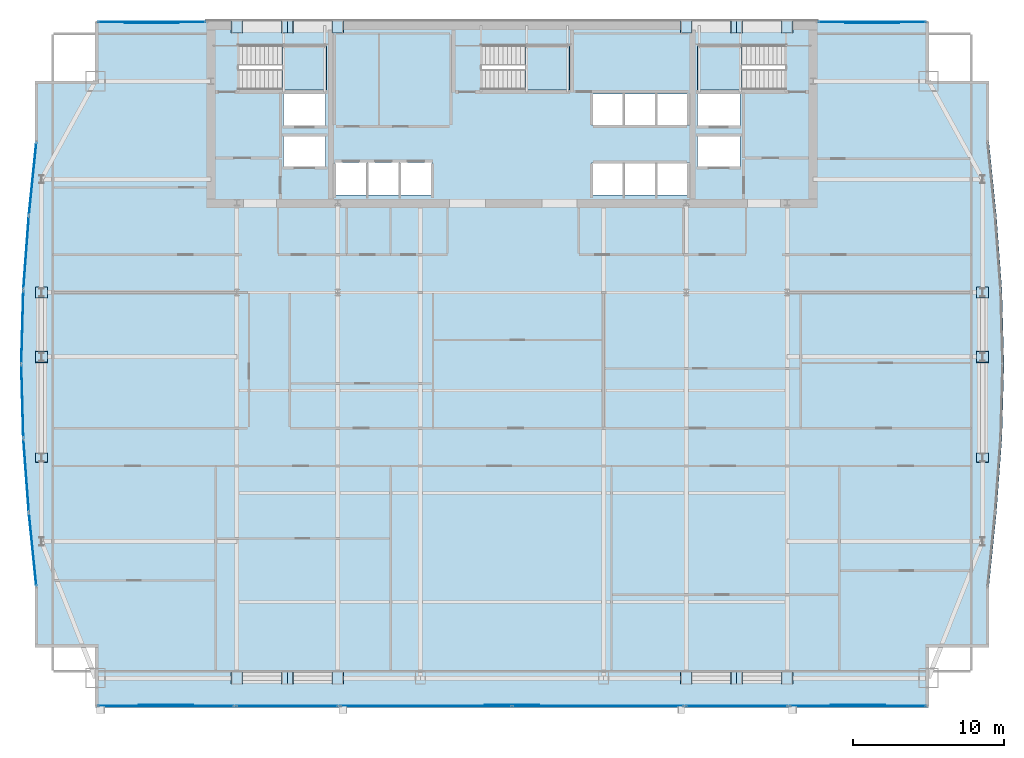
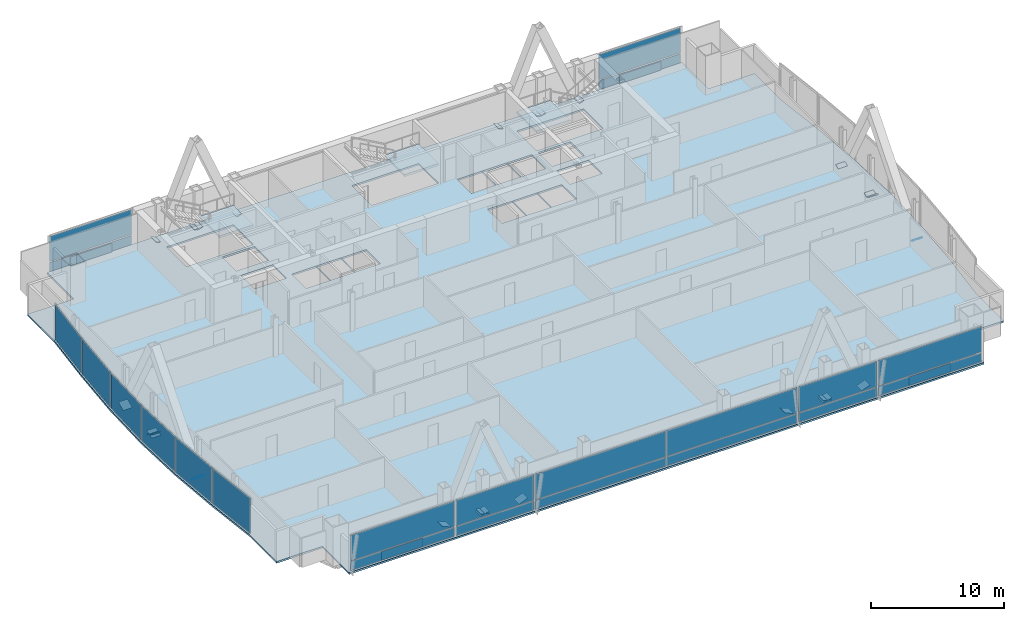
# One storey, part 23 of 29: 51 plates, 4 slabs, 16 elements without a shape of their own.
"""IFC4 building model written with IfcOpenShell, lengths in metres."""

from ifc_helpers import new_model, si_unit, direction, frame, origin, origin_2d, place, context, subcontext, project, spatial, polyline, rectangle, outline, extrude, material, layer, layer_set, type_object, element, aggregate, save


model = new_model("IFC4")

# Units and contexts
model_context = context("Model", 3, precision=1e-05, world=origin(), true_north=direction((0.0, 1.0)))
body_context = subcontext(model_context, "Body", "Model", "MODEL_VIEW")
ifc_project = project(units=[si_unit("LENGTHUNIT", "METRE"), si_unit("AREAUNIT", "SQUARE_METRE"), si_unit("VOLUMEUNIT", "CUBIC_METRE"), si_unit("PLANEANGLEUNIT", "RADIAN"), si_unit("MASSUNIT", "GRAM", prefix="KILO")], contexts=[model_context])

# Site, building, storey
site_placement = place(None, origin())
site = spatial("IfcSite", under=ifc_project, at=site_placement, CompositionType="ELEMENT")
building_placement = place(site_placement, origin())
building = spatial("IfcBuilding", under=site, at=building_placement, Name="Khoronbel Lancet Exchange", CompositionType="ELEMENT")
storey_placement = place(building_placement, frame((0.0, 0.0, 180.60009765625)))
storey = spatial("IfcBuildingStorey", under=building, at=storey_placement, Name="L45", CompositionType="ELEMENT", Elevation=180.60009765625)

# Curtain wall, plate
ifc_material_1 = material(Name="Low-E Solar Control Insulating Glass", Category="glass")
curtain_wall_type_1 = type_object("IfcCurtainWallType", Name="CW-4", PredefinedType="NOTDEFINED", material=ifc_material_1)
curtain_wall_1_placement = place(storey_placement, origin())
curtain_wall_1 = element("IfcCurtainWall", 1, at=curtain_wall_1_placement, inside=storey, type_object=curtain_wall_type_1, Name="Unitised curtain wall CW-L45-E05", PredefinedType="NOTDEFINED")
ifc_material_2 = material(Name="Bronze-Anodised Aluminium 6063-T6", Category="aluminium")
ifc_layer_1 = layer(ifc_material_2, 0.050048828125, Name="Bronze-Anodised Aluminium 6063-T6")
ifc_layer_set_1 = layer_set([ifc_layer_1], Name="Bronze-Anodised Aluminium 6063-T6")
plate_type_1 = type_object("IfcPlateType", Name="PLT-CSP1", PredefinedType="SHEET", material=ifc_layer_set_1)
plate_1_placement = place(storey_placement, frame((4.2568359375, 23.581298828125, 0.0849609375), z_axis=(0.0, 0.0, 1.0), x_axis=(-0.074245494873, 0.99723999443, 0.0)))
plate_1 = element("IfcPlate", 2, at=plate_1_placement, type_object=plate_type_1, Name="CW4 panel 1.1", PredefinedType="CURTAIN_PANEL", context=body_context, shape_type="SweptSolid", body=[
    extrude(rectangle(XDim=4.77685546875, YDim=0.0380859375, at=origin_2d()), origin(), (0.0, 0.0, 1.0), 3.22998046875),
])
aggregate(curtain_wall_1, [plate_1])

curtain_wall_2_placement = place(storey_placement, origin())
curtain_wall_2 = element("IfcCurtainWall", 3, at=curtain_wall_2_placement, inside=storey, type_object=curtain_wall_type_1, Name="Unitised curtain wall CW-L45-E06", PredefinedType="NOTDEFINED")
plate_2_placement = place(storey_placement, frame((4.0068359375, 28.493896484375, 0.0849609375), z_axis=(0.0, 0.0, 1.0), x_axis=(-0.027249094987, 0.99962867447, 0.0)))
plate_2 = element("IfcPlate", 4, at=plate_2_placement, type_object=plate_type_1, Name="CW4 panel 1.1", PredefinedType="CURTAIN_PANEL", context=body_context, shape_type="SweptSolid", body=[
    extrude(rectangle(XDim=4.763916015625, YDim=0.0380859375, at=origin_2d()), origin(), (0.0, 0.0, 1.0), 3.22998046875),
])
aggregate(curtain_wall_2, [plate_2])

curtain_wall_3_placement = place(storey_placement, origin())
curtain_wall_3 = element("IfcCurtainWall", 5, at=curtain_wall_3_placement, inside=storey, type_object=curtain_wall_type_1, Name="Unitised curtain wall CW-L45-E07", PredefinedType="NOTDEFINED")
plate_3_placement = place(storey_placement, frame((4.0068359375, 33.406005859375, 0.0849609375), z_axis=(0.0, 0.0, 1.0), x_axis=(0.027249094987, 0.99962867447, 0.0)))
plate_3 = element("IfcPlate", 6, at=plate_3_placement, type_object=plate_type_1, Name="CW4 panel 1.1", PredefinedType="CURTAIN_PANEL", context=body_context, shape_type="SweptSolid", body=[
    extrude(rectangle(XDim=4.763916015625, YDim=0.0380859375, at=origin_2d()), origin(), (0.0, 0.0, 1.0), 3.22998046875),
])
aggregate(curtain_wall_3, [plate_3])

curtain_wall_4_placement = place(storey_placement, origin())
curtain_wall_4 = element("IfcCurtainWall", 7, at=curtain_wall_4_placement, inside=storey, type_object=curtain_wall_type_1, Name="Unitised curtain wall CW-L45-E08", PredefinedType="NOTDEFINED")
plate_4_placement = place(storey_placement, frame((4.2568359375, 38.31884765625, 0.0849609375), z_axis=(0.0, 0.0, 1.0), x_axis=(0.074245494873, 0.99723999443, 0.0)))
plate_4 = element("IfcPlate", 8, at=plate_4_placement, type_object=plate_type_1, Name="CW4 panel 1.1", PredefinedType="CURTAIN_PANEL", context=body_context, shape_type="SweptSolid", body=[
    extrude(rectangle(XDim=4.77685546875, YDim=0.0380859375, at=origin_2d()), origin(), (0.0, 0.0, 1.0), 3.22998046875),
])
aggregate(curtain_wall_4, [plate_4])

curtain_wall_type_2 = type_object("IfcCurtainWallType", Name="CW-3", PredefinedType="NOTDEFINED", material=ifc_material_1)
curtain_wall_5_placement = place(storey_placement, origin())
curtain_wall_5 = element("IfcCurtainWall", 9, at=curtain_wall_5_placement, inside=storey, type_object=curtain_wall_type_2, Name="Unitised curtain wall CW-L45-NWFLK", PredefinedType="NOTDEFINED")
plate_5_placement = place(storey_placement, frame((12.580078125, 53.550048828125, 0.0498046875), z_axis=(0.0, 0.0, 1.0), x_axis=(-1.0, 0.0, 0.0)))
plate_5 = element("IfcPlate", 10, at=plate_5_placement, type_object=plate_type_1, Name="Insulated bronze spandrel cassette CW-L45-NWFLK", PredefinedType="SHEET", context=body_context, shape_type="SweptSolid", body=[
    extrude(rectangle(XDim=3.60009765625, YDim=0.050048828125, at=origin_2d()), origin(), (0.0, 0.0, 1.0), 0.800048828125),
])

curtain_wall_6_placement = place(storey_placement, origin())
curtain_wall_6 = element("IfcCurtainWall", 11, at=curtain_wall_6_placement, inside=storey, type_object=curtain_wall_type_2, Name="Unitised curtain wall CW-L45-NEFLK", PredefinedType="NOTDEFINED")
plate_6_placement = place(storey_placement, frame((60.320068359375, 53.550048828125, 0.0498046875), z_axis=(0.0, 0.0, 1.0), x_axis=(-1.0, 0.0, 0.0)))
plate_6 = element("IfcPlate", 12, at=plate_6_placement, type_object=plate_type_1, Name="Insulated bronze spandrel cassette CW-L45-NEFLK", PredefinedType="SHEET", context=body_context, shape_type="SweptSolid", body=[
    extrude(rectangle(XDim=3.60009765625, YDim=0.050048828125, at=origin_2d()), origin(), (0.0, 0.0, 1.0), 0.800048828125),
])

curtain_wall_7_placement = place(storey_placement, origin())
curtain_wall_7 = element("IfcCurtainWall", 13, at=curtain_wall_7_placement, inside=storey, type_object=curtain_wall_type_2, Name="Unitised curtain wall CW-L45-SWV", PredefinedType="NOTDEFINED")
plate_7_placement = place(storey_placement, frame((13.52001953125, 8.35009765625, 0.0498046875), z_axis=(0.0, 0.0, 1.0), x_axis=(1.0, 0.0, 0.0)))
plate_7 = element("IfcPlate", 14, at=plate_7_placement, type_object=plate_type_1, Name="Insulated bronze spandrel cassette CW-L45-SWV", PredefinedType="SHEET", context=body_context, shape_type="SweptSolid", body=[
    extrude(rectangle(XDim=3.60009765625, YDim=0.050048828125, at=origin_2d()), origin(), (0.0, 0.0, 1.0), 0.800048828125),
])

# Curtain wall, plates
curtain_wall_8_placement = place(storey_placement, origin())
curtain_wall_8 = element("IfcCurtainWall", 15, at=curtain_wall_8_placement, inside=storey, type_object=curtain_wall_type_2, Name="Unitised curtain wall CW-L45-SWB", PredefinedType="NOTDEFINED")
plate_8_placement = place(storey_placement, frame((21.550048828125, 8.2900390625, 0.0849609375), z_axis=(0.0, 0.0, 1.0), x_axis=(1.0, 0.0, 0.0)))
plate_8 = element("IfcPlate", 16, at=plate_8_placement, type_object=plate_type_1, Name="CW3 panel 1.1", PredefinedType="CURTAIN_PANEL", context=body_context, shape_type="SweptSolid", body=[
    extrude(rectangle(XDim=6.72998046875, YDim=0.0380859375, at=origin_2d()), origin(), (0.0, 0.0, 1.0), 0.822509765625),
])
plate_9_placement = place(storey_placement, frame((21.550048828125, 8.2900390625, 0.9921875), z_axis=(0.0, 0.0, 1.0), x_axis=(1.0, 0.0, 0.0)))
plate_9 = element("IfcPlate", 17, at=plate_9_placement, type_object=plate_type_1, Name="CW3 panel 1.2", PredefinedType="CURTAIN_PANEL", context=body_context, shape_type="SweptSolid", body=[
    extrude(rectangle(XDim=6.72998046875, YDim=0.0380859375, at=origin_2d()), origin(), (0.0, 0.0, 1.0), 2.322509765625),
])
aggregate(curtain_wall_8, [plate_8, plate_9])

# Curtain wall, plate
curtain_wall_9_placement = place(storey_placement, origin())
curtain_wall_9 = element("IfcCurtainWall", 18, at=curtain_wall_9_placement, inside=storey, type_object=curtain_wall_type_2, Name="Unitised curtain wall CW-L45-SCV", PredefinedType="NOTDEFINED")
plate_10_placement = place(storey_placement, frame((36.449951171875, 8.35009765625, 0.0498046875), z_axis=(0.0, 0.0, 1.0), x_axis=(1.0, 0.0, 0.0)))
plate_10 = element("IfcPlate", 19, at=plate_10_placement, type_object=plate_type_1, Name="Insulated bronze spandrel cassette CW-L45-SCV", PredefinedType="SHEET", context=body_context, shape_type="SweptSolid", body=[
    extrude(rectangle(XDim=3.60009765625, YDim=0.050048828125, at=origin_2d()), origin(), (0.0, 0.0, 1.0), 0.800048828125),
])

# Curtain wall, plates
curtain_wall_10_placement = place(storey_placement, origin())
curtain_wall_10 = element("IfcCurtainWall", 20, at=curtain_wall_10_placement, inside=storey, type_object=curtain_wall_type_2, Name="Unitised curtain wall CW-L45-SEB", PredefinedType="NOTDEFINED")
plate_11_placement = place(storey_placement, frame((51.35009765625, 8.2900390625, 0.0849609375), z_axis=(0.0, 0.0, 1.0), x_axis=(1.0, 0.0, 0.0)))
plate_11 = element("IfcPlate", 21, at=plate_11_placement, type_object=plate_type_1, Name="CW3 panel 1.1", PredefinedType="CURTAIN_PANEL", context=body_context, shape_type="SweptSolid", body=[
    extrude(rectangle(XDim=6.72998046875, YDim=0.0380859375, at=origin_2d()), origin(), (0.0, 0.0, 1.0), 0.822509765625),
])
plate_12_placement = place(storey_placement, frame((51.35009765625, 8.2900390625, 0.9921875), z_axis=(0.0, 0.0, 1.0), x_axis=(1.0, 0.0, 0.0)))
plate_12 = element("IfcPlate", 22, at=plate_12_placement, type_object=plate_type_1, Name="CW3 panel 1.2", PredefinedType="CURTAIN_PANEL", context=body_context, shape_type="SweptSolid", body=[
    extrude(rectangle(XDim=6.72998046875, YDim=0.0380859375, at=origin_2d()), origin(), (0.0, 0.0, 1.0), 2.322509765625),
])
aggregate(curtain_wall_10, [plate_11, plate_12])

# Curtain wall, plate
curtain_wall_11_placement = place(storey_placement, origin())
curtain_wall_11 = element("IfcCurtainWall", 23, at=curtain_wall_11_placement, inside=storey, type_object=curtain_wall_type_2, Name="Unitised curtain wall CW-L45-SEV", PredefinedType="NOTDEFINED")
plate_13_placement = place(storey_placement, frame((59.3798828125, 8.35009765625, 0.0498046875), z_axis=(0.0, 0.0, 1.0), x_axis=(1.0, 0.0, 0.0)))
plate_13 = element("IfcPlate", 24, at=plate_13_placement, type_object=plate_type_1, Name="Insulated bronze spandrel cassette CW-L45-SEV", PredefinedType="SHEET", context=body_context, shape_type="SweptSolid", body=[
    extrude(rectangle(XDim=3.60009765625, YDim=0.050048828125, at=origin_2d()), origin(), (0.0, 0.0, 1.0), 0.800048828125),
])

# Plate
ifc_layer_2 = layer(ifc_material_1, 0.035888671875, Name="Low-E Solar Control Insulating Glass")
ifc_layer_set_2 = layer_set([ifc_layer_2], Name="Low-E Solar Control Insulating Glass")
plate_type_2 = type_object("IfcPlateType", Name="PLT-CWP1", PredefinedType="CURTAIN_PANEL", material=ifc_layer_set_2)
plate_14_placement = place(storey_placement, frame((12.580078125, 53.610107421875, 0.0849609375), z_axis=(0.0, 0.0, 1.0), x_axis=(-1.0, 0.0, 0.0)))
plate_14 = element("IfcPlate", 25, at=plate_14_placement, type_object=plate_type_2, Name="CW3 panel 1.1", PredefinedType="CURTAIN_PANEL", context=body_context, shape_type="SweptSolid", body=[
    extrude(rectangle(XDim=7.110107421875, YDim=0.0380859375, at=origin_2d()), origin(), (0.0, 0.0, 1.0), 0.822509765625),
])

plate_15_placement = place(storey_placement, frame((12.580078125, 53.610107421875, 0.9921875), z_axis=(0.0, 0.0, 1.0), x_axis=(-1.0, 0.0, 0.0)))
plate_15 = element("IfcPlate", 26, at=plate_15_placement, type_object=plate_type_2, Name="CW3 panel 1.2", PredefinedType="CURTAIN_PANEL", context=body_context, shape_type="SweptSolid", body=[
    extrude(rectangle(XDim=7.110107421875, YDim=0.0380859375, at=origin_2d()), origin(), (0.0, 0.0, 1.0), 2.322509765625),
])

aggregate(curtain_wall_5, [plate_14, plate_15, plate_5])

plate_16_placement = place(storey_placement, frame((60.320068359375, 53.610107421875, 0.0849609375), z_axis=(0.0, 0.0, 1.0), x_axis=(-1.0, 0.0, 0.0)))
plate_16 = element("IfcPlate", 27, at=plate_16_placement, type_object=plate_type_2, Name="CW3 panel 1.1", PredefinedType="CURTAIN_PANEL", context=body_context, shape_type="SweptSolid", body=[
    extrude(rectangle(XDim=7.110107421875, YDim=0.0380859375, at=origin_2d()), origin(), (0.0, 0.0, 1.0), 0.822509765625),
])

plate_17_placement = place(storey_placement, frame((60.320068359375, 53.610107421875, 0.9921875), z_axis=(0.0, 0.0, 1.0), x_axis=(-1.0, 0.0, 0.0)))
plate_17 = element("IfcPlate", 28, at=plate_17_placement, type_object=plate_type_2, Name="CW3 panel 1.2", PredefinedType="CURTAIN_PANEL", context=body_context, shape_type="SweptSolid", body=[
    extrude(rectangle(XDim=7.110107421875, YDim=0.0380859375, at=origin_2d()), origin(), (0.0, 0.0, 1.0), 2.322509765625),
])

aggregate(curtain_wall_6, [plate_16, plate_17, plate_6])

plate_18_placement = place(storey_placement, frame((13.52001953125, 8.2900390625, 0.0849609375), z_axis=(0.0, 0.0, 1.0), x_axis=(1.0, 0.0, 0.0)))
plate_18 = element("IfcPlate", 29, at=plate_18_placement, type_object=plate_type_2, Name="CW3 panel 1.1", PredefinedType="CURTAIN_PANEL", context=body_context, shape_type="SweptSolid", body=[
    extrude(rectangle(XDim=8.989990234375, YDim=0.0380859375, at=origin_2d()), origin(), (0.0, 0.0, 1.0), 0.822509765625),
])

plate_19_placement = place(storey_placement, frame((13.52001953125, 8.2900390625, 0.9921875), z_axis=(0.0, 0.0, 1.0), x_axis=(1.0, 0.0, 0.0)))
plate_19 = element("IfcPlate", 30, at=plate_19_placement, type_object=plate_type_2, Name="CW3 panel 1.2", PredefinedType="CURTAIN_PANEL", context=body_context, shape_type="SweptSolid", body=[
    extrude(rectangle(XDim=8.989990234375, YDim=0.0380859375, at=origin_2d()), origin(), (0.0, 0.0, 1.0), 2.322509765625),
])

aggregate(curtain_wall_7, [plate_18, plate_19, plate_7])

plate_20_placement = place(storey_placement, frame((30.746337890625, 8.2900390625, 0.0849609375), z_axis=(0.0, 0.0, 1.0), x_axis=(1.0, 0.0, 0.0)))
plate_20 = element("IfcPlate", 31, at=plate_20_placement, type_object=plate_type_2, Name="CW3 panel 1.1", PredefinedType="CURTAIN_PANEL", context=body_context, shape_type="SweptSolid", body=[
    extrude(rectangle(XDim=11.322509765625, YDim=0.0380859375, at=origin_2d()), origin(), (0.0, 0.0, 1.0), 0.822509765625),
])

plate_21_placement = place(storey_placement, frame((30.746337890625, 8.2900390625, 0.9921875), z_axis=(0.0, 0.0, 1.0), x_axis=(1.0, 0.0, 0.0)))
plate_21 = element("IfcPlate", 32, at=plate_21_placement, type_object=plate_type_2, Name="CW3 panel 1.2", PredefinedType="CURTAIN_PANEL", context=body_context, shape_type="SweptSolid", body=[
    extrude(rectangle(XDim=11.322509765625, YDim=0.0380859375, at=origin_2d()), origin(), (0.0, 0.0, 1.0), 2.322509765625),
])

plate_22_placement = place(storey_placement, frame((42.15380859375, 8.2900390625, 0.0849609375), z_axis=(0.0, 0.0, 1.0), x_axis=(1.0, 0.0, 0.0)))
plate_22 = element("IfcPlate", 33, at=plate_22_placement, type_object=plate_type_2, Name="CW3 panel 2.1", PredefinedType="CURTAIN_PANEL", context=body_context, shape_type="SweptSolid", body=[
    extrude(rectangle(XDim=11.322509765625, YDim=0.0380859375, at=origin_2d()), origin(), (0.0, 0.0, 1.0), 0.822509765625),
])

plate_23_placement = place(storey_placement, frame((42.15380859375, 8.2900390625, 0.9921875), z_axis=(0.0, 0.0, 1.0), x_axis=(1.0, 0.0, 0.0)))
plate_23 = element("IfcPlate", 34, at=plate_23_placement, type_object=plate_type_2, Name="CW3 panel 2.2", PredefinedType="CURTAIN_PANEL", context=body_context, shape_type="SweptSolid", body=[
    extrude(rectangle(XDim=11.322509765625, YDim=0.0380859375, at=origin_2d()), origin(), (0.0, 0.0, 1.0), 2.322509765625),
])

aggregate(curtain_wall_9, [plate_20, plate_21, plate_22, plate_23, plate_10])

plate_24_placement = place(storey_placement, frame((59.3798828125, 8.2900390625, 0.0849609375), z_axis=(0.0, 0.0, 1.0), x_axis=(1.0, 0.0, 0.0)))
plate_24 = element("IfcPlate", 35, at=plate_24_placement, type_object=plate_type_2, Name="CW3 panel 1.1", PredefinedType="CURTAIN_PANEL", context=body_context, shape_type="SweptSolid", body=[
    extrude(rectangle(XDim=8.989990234375, YDim=0.0380859375, at=origin_2d()), origin(), (0.0, 0.0, 1.0), 0.822509765625),
])

plate_25_placement = place(storey_placement, frame((59.3798828125, 8.2900390625, 0.9921875), z_axis=(0.0, 0.0, 1.0), x_axis=(1.0, 0.0, 0.0)))
plate_25 = element("IfcPlate", 36, at=plate_25_placement, type_object=plate_type_2, Name="CW3 panel 1.2", PredefinedType="CURTAIN_PANEL", context=body_context, shape_type="SweptSolid", body=[
    extrude(rectangle(XDim=8.989990234375, YDim=0.0380859375, at=origin_2d()), origin(), (0.0, 0.0, 1.0), 2.322509765625),
])

aggregate(curtain_wall_11, [plate_24, plate_25, plate_13])

# Curtain wall, plate
curtain_wall_12_placement = place(storey_placement, origin())
curtain_wall_12 = element("IfcCurtainWall", 37, at=curtain_wall_12_placement, inside=storey, type_object=curtain_wall_type_1, Name="Unitised curtain wall CW-L45-E04", PredefinedType="NOTDEFINED")
ifc_material_3 = material(Name="Ceramic-Fritted Laminated Insulating Glass", Category="glass")
ifc_layer_3 = layer(ifc_material_3, 0.0419921875, Name="Ceramic-Fritted Laminated Insulating Glass")
ifc_layer_set_3 = layer_set([ifc_layer_3], Name="Ceramic-Fritted Laminated Insulating Glass")
plate_type_3 = type_object("IfcPlateType", Name="PLT-CWP2", PredefinedType="CURTAIN_PANEL", material=ifc_layer_set_3)
plate_26_placement = place(storey_placement, frame((4.68994140625, 18.66455078125, 0.0849609375), z_axis=(0.0, 0.0, 1.0), x_axis=(-0.101165300055, 0.994869630688, 0.0)))
plate_26 = element("IfcPlate", 38, at=plate_26_placement, type_object=plate_type_3, Name="CW4 panel 1.1", PredefinedType="CURTAIN_PANEL", context=body_context, shape_type="SweptSolid", body=[
    extrude(rectangle(XDim=4.79541015625, YDim=0.0380859375, at=origin_2d()), origin(), (0.0, 0.0, 1.0), 3.22998046875),
])
aggregate(curtain_wall_12, [plate_26])

curtain_wall_13_placement = place(storey_placement, origin())
curtain_wall_13 = element("IfcCurtainWall", 39, at=curtain_wall_13_placement, inside=storey, type_object=curtain_wall_type_1, Name="Unitised curtain wall CW-L45-E09", PredefinedType="NOTDEFINED")
plate_27_placement = place(storey_placement, frame((4.68994140625, 43.2353515625, 0.0849609375), z_axis=(0.0, 0.0, 1.0), x_axis=(0.101165300055, 0.994869630688, 0.0)))
plate_27 = element("IfcPlate", 40, at=plate_27_placement, type_object=plate_type_3, Name="CW4 panel 1.1", PredefinedType="CURTAIN_PANEL", context=body_context, shape_type="SweptSolid", body=[
    extrude(rectangle(XDim=4.79541015625, YDim=0.0380859375, at=origin_2d()), origin(), (0.0, 0.0, 1.0), 3.22998046875),
])
aggregate(curtain_wall_13, [plate_27])

# Plates
ifc_material_4 = material(Name="Steel S460", Category="steel")
ifc_layer_4 = layer(ifc_material_4, 0.044921875, Name="Steel S460")
ifc_layer_set_4 = layer_set([ifc_layer_4], Name="Steel S460")
plate_type_4 = type_object("IfcPlateType", Name="PLT-ECP1", PredefinedType="USERDEFINED", material=ifc_layer_set_4)
for number, where, z_axis, x_axis, name in (
    (41, (21.956787109375, 9.75, -0.075439453125), (0.267942904073, 0.0, 0.963434792893), (0.0, 1.0, 0.0), "Hollow end cap plate PLT-CAP-MEM-MB-T14-S-W-L-1"),
    (42, (21.168212890625, 10.550048828125, -0.075439453125), (-0.267942904073, 0.0, 0.963434792893), (0.0, -1.0, 0.0), "Hollow end cap plate PLT-CAP-MEM-MB-T14-S-W-R-1"),
    (43, (51.731689453125, 9.75, -0.075439453125), (0.267942904073, 0.0, 0.963434792893), (0.0, 1.0, 0.0), "Hollow end cap plate PLT-CAP-MEM-MB-T14-S-E-L-1"),
    (44, (50.943359375, 10.550048828125, -0.075439453125), (-0.267942904073, 0.0, 0.963434792893), (0.0, -1.0, 0.0), "Hollow end cap plate PLT-CAP-MEM-MB-T14-S-E-R-1"),
    (45, (21.956787109375, 52.8798828125, -0.075439453125), (0.267942904073, 0.0, 0.963434792893), (0.0, 1.0, 0.0), "Hollow end cap plate PLT-CAP-MEM-MB-T14-N-W-L-1"),
    (46, (21.168212890625, 53.679931640625, -0.075439453125), (-0.267942904073, 0.0, 0.963434792893), (0.0, -1.0, 0.0), "Hollow end cap plate PLT-CAP-MEM-MB-T14-N-W-R-1"),
    (47, (51.731689453125, 52.8798828125, -0.075439453125), (0.267942904073, 0.0, 0.963434792893), (0.0, 1.0, 0.0), "Hollow end cap plate PLT-CAP-MEM-MB-T14-N-E-L-1"),
    (48, (50.943359375, 53.679931640625, -0.075439453125), (-0.267942904073, 0.0, 0.963434792893), (0.0, -1.0, 0.0), "Hollow end cap plate PLT-CAP-MEM-MB-T14-N-E-R-1"),
):
    element("IfcPlate", number, at=place(storey_placement, frame(where, z_axis=z_axis, x_axis=x_axis)), inside=storey, type_object=plate_type_4, Name=name, ObjectType="STIFFENER_PLATE", PredefinedType="USERDEFINED", context=body_context, shape_type="SweptSolid", body=[
        extrude(outline(polyline([(0.0, 0.0), (0.800048828125, 0.0), (0.800048828125, 0.800048828125), (0.0, 0.800048828125), (0.0, 0.0)])), origin(), (0.0, 0.0, -1.0), 0.044921875),
    ])
plate_28_placement = place(storey_placement, frame((5.669921875, 31.79052734375, -0.165771484375), z_axis=(0.0, 0.486212952876, 0.873840354101), x_axis=(-1.0, 0.0, 0.0)))
element("IfcPlate", 49, at=plate_28_placement, inside=storey, type_object=plate_type_4, Name="Hollow end cap plate PLT-CAP-MEM-MB-T14-W-P-L-1", ObjectType="STIFFENER_PLATE", PredefinedType="USERDEFINED", context=body_context, shape_type="SweptSolid", body=[
    extrude(outline(polyline([(0.0, 0.0), (0.7998046875, 0.0), (0.7998046875, 0.7998046875), (0.0, 0.7998046875), (0.0, 0.0)])), origin(), (0.0, 0.0, -1.0), 0.044921875),
])
plate_29_placement = place(storey_placement, frame((4.8701171875, 31.037109375, -0.103271484375), z_axis=(0.0, -0.335659743873, 0.941983299397), x_axis=(1.0, 0.0, 0.0)))
element("IfcPlate", 50, at=plate_29_placement, inside=storey, type_object=plate_type_4, Name="Hollow end cap plate PLT-CAP-MEM-MB-T14-W-P-R-1", ObjectType="STIFFENER_PLATE", PredefinedType="USERDEFINED", context=body_context, shape_type="SweptSolid", body=[
    extrude(outline(polyline([(0.0, 0.0), (0.7998046875, 0.0), (0.7998046875, 0.800048828125), (0.0, 0.800048828125), (0.0, 0.0)])), origin(), (0.0, 0.0, -1.0), 0.044921875),
])
plate_30_placement = place(storey_placement, frame((68.030029296875, 31.79052734375, -0.165771484375), z_axis=(0.0, 0.486212952876, 0.873840354101), x_axis=(-1.0, 0.0, 0.0)))
element("IfcPlate", 51, at=plate_30_placement, inside=storey, type_object=plate_type_4, Name="Hollow end cap plate PLT-CAP-MEM-MB-T14-E-P-L-1", ObjectType="STIFFENER_PLATE", PredefinedType="USERDEFINED", context=body_context, shape_type="SweptSolid", body=[
    extrude(outline(polyline([(0.0, 0.0), (0.800048828125, 0.0), (0.800048828125, 0.7998046875), (0.0, 0.7998046875), (0.0, 0.0)])), origin(), (0.0, 0.0, -1.0), 0.044921875),
])
plate_31_placement = place(storey_placement, frame((67.22998046875, 31.037109375, -0.103271484375), z_axis=(0.0, -0.335659743873, 0.941983299397), x_axis=(1.0, 0.0, 0.0)))
element("IfcPlate", 52, at=plate_31_placement, inside=storey, type_object=plate_type_4, Name="Hollow end cap plate PLT-CAP-MEM-MB-T14-E-P-R-1", ObjectType="STIFFENER_PLATE", PredefinedType="USERDEFINED", context=body_context, shape_type="SweptSolid", body=[
    extrude(outline(polyline([(0.0, 0.0), (0.800048828125, 0.0), (0.800048828125, 0.800048828125), (0.0, 0.800048828125), (0.0, 0.0)])), origin(), (0.0, 0.0, -1.0), 0.044921875),
])
for number, where, z_axis, x_axis, name in (
    (53, (18.598876953125, 9.75, -0.14306640625), (0.385026950692, 0.0, 0.922905329512), (0.0, 1.0, 0.0), "Hollow end cap plate PLT-CAP-MEM-MB-T15-S-W-L-0"),
    (54, (24.526123046875, 10.550048828125, -0.14306640625), (-0.385026950692, 0.0, 0.922905329512), (0.0, -1.0, 0.0), "Hollow end cap plate PLT-CAP-MEM-MB-T15-S-W-R-0"),
):
    element("IfcPlate", number, at=place(storey_placement, frame(where, z_axis=z_axis, x_axis=x_axis)), inside=storey, type_object=plate_type_4, Name=name, ObjectType="STIFFENER_PLATE", PredefinedType="USERDEFINED", context=body_context, shape_type="SweptSolid", body=[
        extrude(outline(polyline([(0.0, 0.0), (0.800048828125, 0.0), (0.800048828125, 0.80029296875), (0.0, 0.80029296875), (0.0, 0.0)])), origin(), (0.0, 0.0, -1.0), 0.044921875),
    ])
for number, where, z_axis, x_axis, name in (
    (55, (48.373779296875, 9.75, -0.14306640625), (0.385135391242, 0.0, 0.922860081709), (0.0, 1.0, 0.0), "Hollow end cap plate PLT-CAP-MEM-MB-T15-S-E-L-0"),
    (56, (54.30126953125, 10.550048828125, -0.14306640625), (-0.385135391242, 0.0, 0.922860081709), (0.0, -1.0, 0.0), "Hollow end cap plate PLT-CAP-MEM-MB-T15-S-E-R-0"),
):
    element("IfcPlate", number, at=place(storey_placement, frame(where, z_axis=z_axis, x_axis=x_axis)), inside=storey, type_object=plate_type_4, Name=name, ObjectType="STIFFENER_PLATE", PredefinedType="USERDEFINED", context=body_context, shape_type="SweptSolid", body=[
        extrude(outline(polyline([(0.0, 0.0), (0.800048828125, 0.0), (0.800048828125, 0.800048828125), (0.0, 0.800048828125), (0.0, 0.0)])), origin(), (0.0, 0.0, -1.0), 0.044921875),
    ])
for number, where, z_axis, x_axis, name in (
    (57, (18.598876953125, 52.8798828125, -0.14306640625), (0.385026950692, 0.0, 0.922905329512), (0.0, 1.0, 0.0), "Hollow end cap plate PLT-CAP-MEM-MB-T15-N-W-L-0"),
    (58, (24.526123046875, 53.679931640625, -0.14306640625), (-0.385026950692, 0.0, 0.922905329512), (0.0, -1.0, 0.0), "Hollow end cap plate PLT-CAP-MEM-MB-T15-N-W-R-0"),
):
    element("IfcPlate", number, at=place(storey_placement, frame(where, z_axis=z_axis, x_axis=x_axis)), inside=storey, type_object=plate_type_4, Name=name, ObjectType="STIFFENER_PLATE", PredefinedType="USERDEFINED", context=body_context, shape_type="SweptSolid", body=[
        extrude(outline(polyline([(0.0, 0.0), (0.800048828125, 0.0), (0.800048828125, 0.80029296875), (0.0, 0.80029296875), (0.0, 0.0)])), origin(), (0.0, 0.0, -1.0), 0.044921875),
    ])
for number, where, z_axis, x_axis, name in (
    (59, (48.373779296875, 52.8798828125, -0.14306640625), (0.385135391242, 0.0, 0.922860081709), (0.0, 1.0, 0.0), "Hollow end cap plate PLT-CAP-MEM-MB-T15-N-E-L-0"),
    (60, (54.30126953125, 53.679931640625, -0.14306640625), (-0.385135391242, 0.0, 0.922860081709), (0.0, -1.0, 0.0), "Hollow end cap plate PLT-CAP-MEM-MB-T15-N-E-R-0"),
):
    element("IfcPlate", number, at=place(storey_placement, frame(where, z_axis=z_axis, x_axis=x_axis)), inside=storey, type_object=plate_type_4, Name=name, ObjectType="STIFFENER_PLATE", PredefinedType="USERDEFINED", context=body_context, shape_type="SweptSolid", body=[
        extrude(outline(polyline([(0.0, 0.0), (0.800048828125, 0.0), (0.800048828125, 0.800048828125), (0.0, 0.800048828125), (0.0, 0.0)])), origin(), (0.0, 0.0, -1.0), 0.044921875),
    ])
for number, where, z_axis, x_axis, name in (
    (61, (5.669921875, 25.06494140625, -0.2470703125), (0.0, 0.640454469523, 0.76799614092), (-1.0, 0.0, 0.0), "Hollow end cap plate PLT-CAP-MEM-MB-T15-W-P-L-0"),
    (62, (4.8701171875, 35.341552734375, -0.177978515625), (0.0, -0.47122173768, 0.88201478102), (1.0, 0.0, 0.0), "Hollow end cap plate PLT-CAP-MEM-MB-T15-W-P-R-0"),
):
    element("IfcPlate", number, at=place(storey_placement, frame(where, z_axis=z_axis, x_axis=x_axis)), inside=storey, type_object=plate_type_4, Name=name, ObjectType="STIFFENER_PLATE", PredefinedType="USERDEFINED", context=body_context, shape_type="SweptSolid", body=[
        extrude(outline(polyline([(0.0, 0.0), (0.7998046875, 0.0), (0.7998046875, 0.800048828125), (0.0, 0.800048828125), (0.0, 0.0)])), origin(), (0.0, 0.0, -1.0), 0.044921875),
    ])
for number, where, z_axis, x_axis, name in (
    (63, (68.030029296875, 25.06494140625, -0.2470703125), (0.0, 0.640454469523, 0.76799614092), (-1.0, 0.0, 0.0), "Hollow end cap plate PLT-CAP-MEM-MB-T15-E-P-L-0"),
    (64, (67.22998046875, 35.341552734375, -0.177978515625), (0.0, -0.47122173768, 0.88201478102), (1.0, 0.0, 0.0), "Hollow end cap plate PLT-CAP-MEM-MB-T15-E-P-R-0"),
):
    element("IfcPlate", number, at=place(storey_placement, frame(where, z_axis=z_axis, x_axis=x_axis)), inside=storey, type_object=plate_type_4, Name=name, ObjectType="STIFFENER_PLATE", PredefinedType="USERDEFINED", context=body_context, shape_type="SweptSolid", body=[
        extrude(outline(polyline([(0.0, 0.0), (0.800048828125, 0.0), (0.800048828125, 0.800048828125), (0.0, 0.800048828125), (0.0, 0.0)])), origin(), (0.0, 0.0, -1.0), 0.044921875),
    ])

# Slab
ifc_material_5 = material(Name="Concrete C40/50", Category="concrete")
ifc_layer_5 = layer(ifc_material_5, 0.159912109375, Name="Concrete C40/50")
ifc_layer_set_5 = layer_set([ifc_layer_5], Name="Concrete C40/50")
slab_type_1 = type_object("IfcSlabType", Name="SL-FL160", PredefinedType="FLOOR", material=ifc_layer_set_5)
slab_1_placement = place(storey_placement, frame((0.0, 0.0, -0.16015625)))
element("IfcSlab", 65, at=slab_1_placement, inside=storey, type_object=slab_type_1, Name="Level L45 composite structural floor slab", PredefinedType="FLOOR", context=body_context, shape_type="SweptSolid", body=[
    extrude(outline(polyline([(8.85009765625, 8.199951171875), (64.050048828125, 8.199951171875), (64.050048828125, 12.199951171875), (68.050048828125, 12.199951171875), (68.050048828125, 16.199951171875), (68.550048828125, 21.11669921875), (68.916015625, 26.033203125), (69.050048828125, 30.949951171875), (68.916015625, 35.86669921875), (68.550048828125, 40.783203125), (68.050048828125, 45.699951171875), (68.050048828125, 49.699951171875), (64.050048828125, 49.699951171875), (64.050048828125, 53.699951171875), (8.85009765625, 53.699951171875), (8.85009765625, 49.699951171875), (4.85009765625, 49.699951171875), (4.85009765625, 45.699951171875), (4.35009765625, 40.783203125), (3.98388671875, 35.86669921875), (3.85009765625, 30.949951171875), (3.98388671875, 26.033203125), (4.35009765625, 21.11669921875), (4.85009765625, 16.199951171875), (4.85009765625, 12.199951171875), (8.85009765625, 12.199951171875), (8.85009765625, 8.199951171875)]), holes=[polyline([(18.324951171875, 49.1201171875), (24.14990234375, 49.1201171875), (24.14990234375, 52.10009765625), (18.324951171875, 52.10009765625), (18.324951171875, 49.1201171875)]), polyline([(48.75, 49.1201171875), (54.574951171875, 49.1201171875), (54.574951171875, 52.10009765625), (48.75, 52.10009765625), (48.75, 49.1201171875)]), polyline([(34.425048828125, 49.1201171875), (40.25, 49.1201171875), (40.25, 52.10009765625), (34.425048828125, 52.10009765625), (34.425048828125, 49.1201171875)]), polyline([(24.699951171875, 42.14990234375), (26.840087890625, 42.14990234375), (26.840087890625, 44.300048828125), (24.699951171875, 44.300048828125), (24.699951171875, 42.14990234375)]), polyline([(26.860107421875, 42.14990234375), (29.0, 42.14990234375), (29.0, 44.300048828125), (26.860107421875, 44.300048828125), (26.860107421875, 42.14990234375)]), polyline([(29.02001953125, 42.14990234375), (31.159912109375, 42.14990234375), (31.159912109375, 44.300048828125), (29.02001953125, 44.300048828125), (29.02001953125, 42.14990234375)]), polyline([(41.739990234375, 46.75), (43.8798828125, 46.75), (43.8798828125, 48.85009765625), (41.739990234375, 48.85009765625), (41.739990234375, 46.75)]), polyline([(43.89990234375, 46.75), (46.0400390625, 46.75), (46.0400390625, 48.85009765625), (43.89990234375, 48.85009765625), (43.89990234375, 46.75)]), polyline([(46.06005859375, 46.75), (48.199951171875, 46.75), (48.199951171875, 48.85009765625), (46.06005859375, 48.85009765625), (46.06005859375, 46.75)]), polyline([(41.739990234375, 42.14990234375), (43.8798828125, 42.14990234375), (43.8798828125, 44.300048828125), (41.739990234375, 44.300048828125), (41.739990234375, 42.14990234375)]), polyline([(43.89990234375, 42.14990234375), (46.0400390625, 42.14990234375), (46.0400390625, 44.300048828125), (43.89990234375, 44.300048828125), (43.89990234375, 42.14990234375)]), polyline([(46.06005859375, 42.14990234375), (48.199951171875, 42.14990234375), (48.199951171875, 44.300048828125), (46.06005859375, 44.300048828125), (46.06005859375, 42.14990234375)]), polyline([(21.300048828125, 46.75), (24.10009765625, 46.75), (24.10009765625, 48.85009765625), (21.300048828125, 48.85009765625), (21.300048828125, 46.75)]), polyline([(48.75, 46.75), (51.550048828125, 46.75), (51.550048828125, 48.85009765625), (48.75, 48.85009765625), (48.75, 46.75)]), polyline([(21.300048828125, 44.050048828125), (24.10009765625, 44.050048828125), (24.10009765625, 46.050048828125), (21.300048828125, 46.050048828125), (21.300048828125, 44.050048828125)]), polyline([(48.75, 44.050048828125), (51.550048828125, 44.050048828125), (51.550048828125, 46.050048828125), (48.75, 46.050048828125), (48.75, 44.050048828125)])]), origin(), (0.0, 0.0, 1.0), 0.16015625),
])

# Stair, slab
stair_type = type_object("IfcStairType", Name="STR-CORE150", PredefinedType="HALF_TURN_STAIR", material=ifc_material_5)
stair_1_placement = place(storey_placement, origin())
stair_1 = element("IfcStair", 66, at=stair_1_placement, inside=storey, type_object=stair_type, Name="L45 Protected Exit Stair ST1", PredefinedType="HALF_TURN_STAIR")
ifc_layer_6 = layer(ifc_material_5, 0.199951171875, Name="Concrete C40/50")
ifc_layer_set_6 = layer_set([ifc_layer_6], Name="Concrete C40/50")
slab_type_2 = type_object("IfcSlabType", Name="SL-LND180", PredefinedType="LANDING", material=ifc_layer_set_6)
slab_2_placement = place(storey_placement, frame((0.0, 0.0, 1.599853515625)))
slab_2 = element("IfcSlab", 67, at=slab_2_placement, type_object=slab_type_2, Name="ST1 landing 1", PredefinedType="LANDING", context=body_context, shape_type="SweptSolid", body=[
    extrude(outline(polyline([(21.199951171875, 49.1201171875), (24.14990234375, 49.1201171875), (24.14990234375, 52.10009765625), (21.199951171875, 52.10009765625), (21.199951171875, 49.1201171875)])), origin(), (0.0, 0.0, 1.0), 0.199951171875),
])
aggregate(stair_1, [slab_2])

stair_2_placement = place(storey_placement, origin())
stair_2 = element("IfcStair", 68, at=stair_2_placement, inside=storey, type_object=stair_type, Name="L45 Protected Exit Stair ST2", PredefinedType="HALF_TURN_STAIR")
slab_3_placement = place(storey_placement, frame((0.0, 0.0, 1.599853515625)))
slab_3 = element("IfcSlab", 69, at=slab_3_placement, type_object=slab_type_2, Name="ST2 landing 1", PredefinedType="LANDING", context=body_context, shape_type="SweptSolid", body=[
    extrude(outline(polyline([(51.699951171875, 52.10009765625), (48.75, 52.10009765625), (48.75, 49.1201171875), (51.699951171875, 49.1201171875), (51.699951171875, 52.10009765625)])), origin(), (0.0, 0.0, 1.0), 0.199951171875),
])
aggregate(stair_2, [slab_3])

stair_3_placement = place(storey_placement, origin())
stair_3 = element("IfcStair", 70, at=stair_3_placement, inside=storey, type_object=stair_type, Name="L45 Protected Exit Stair ST3", PredefinedType="HALF_TURN_STAIR")
slab_4_placement = place(storey_placement, frame((0.0, 0.0, 1.599853515625)))
slab_4 = element("IfcSlab", 71, at=slab_4_placement, type_object=slab_type_2, Name="ST3 landing 1", PredefinedType="LANDING", context=body_context, shape_type="SweptSolid", body=[
    extrude(outline(polyline([(37.300048828125, 49.1201171875), (40.25, 49.1201171875), (40.25, 52.10009765625), (37.300048828125, 52.10009765625), (37.300048828125, 49.1201171875)])), origin(), (0.0, 0.0, 1.0), 0.199951171875),
])
aggregate(stair_3, [slab_4])

save(model, "model.ifc")
